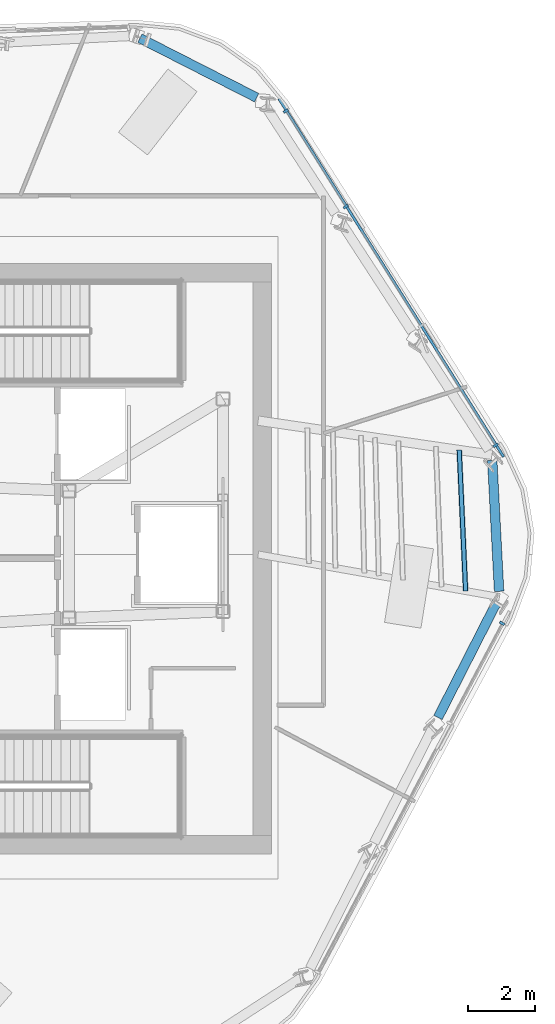
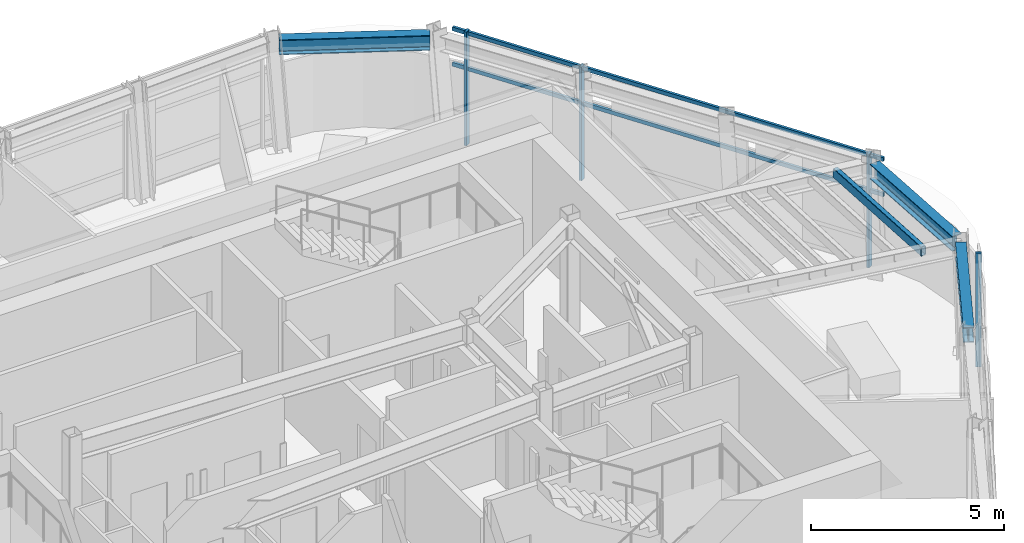
# One storey, part 5 of 13: 7 members, 3 beams, 2 elements without a shape of their own.
"""IFC4 building model written with IfcOpenShell, lengths in metres."""

from ifc_helpers import new_model, si_unit, direction, frame, origin, origin_2d, place, context, subcontext, project, spatial, rectangle, hollow_rectangle, i_section, extrude, material, layer, layer_set, material_profile, profile_set, type_object, element, aggregate, save


model = new_model("IFC4")

# Units and contexts
model_context = context("Model", 3, precision=1e-05, world=origin(), true_north=direction((0.0, 1.0)))
body_context = subcontext(model_context, "Body", "Model", "MODEL_VIEW")
ifc_project = project(units=[si_unit("LENGTHUNIT", "METRE"), si_unit("AREAUNIT", "SQUARE_METRE"), si_unit("VOLUMEUNIT", "CUBIC_METRE"), si_unit("PLANEANGLEUNIT", "RADIAN"), si_unit("MASSUNIT", "GRAM", prefix="KILO")], contexts=[model_context])

# Site, building, storey
site_placement = place(None, origin())
site = spatial("IfcSite", under=ifc_project, at=site_placement, CompositionType="ELEMENT")
building_placement = place(site_placement, origin())
building = spatial("IfcBuilding", under=site, at=building_placement, Name="Valkerne Bourse Tower", CompositionType="ELEMENT")
storey_placement = place(building_placement, frame((0.0, 0.0, 292.60009765625)))
storey = spatial("IfcBuildingStorey", under=building, at=storey_placement, Name="L74", CompositionType="ELEMENT", Elevation=292.60009765625)

# Beams
ifc_material_1 = material(Name="Steel ASTM A992", Category="steel")
ifc_material_profile_1 = material_profile(ifc_material_1, i_section(OverallWidth=0.284423828125, OverallDepth=0.47509765625, WebThickness=0.014892578125, FlangeThickness=0.02392578125, FilletRadius=0.017822265625, at=origin_2d()), Name="W18X106")
ifc_profile_set_1 = profile_set([ifc_material_profile_1], Name="Steel ASTM A992")
beam_type = type_object("IfcBeamType", Name="BM-W18X106", PredefinedType="BEAM", material=ifc_profile_set_1)
beam_placement = place(storey_placement, frame((61.37548828125, 22.1279296875, 3.3623046875), z_axis=(0.453985287381, 0.891009179998, 0.0), x_axis=(-0.891009179998, 0.453985287381, 0.0)))
element("IfcBeam", 1, at=beam_placement, inside=storey, type_object=beam_type, Name="L74 Hexagonal Spandrel Ring Beam 18", PredefinedType="BEAM", context=body_context, shape_type="SweptSolid", body=[
    extrude(i_section(OverallWidth=0.284423828125, OverallDepth=0.47509765625, WebThickness=0.014892578125, FlangeThickness=0.02392578125, FilletRadius=0.017822265625, at=origin_2d()), origin(), (0.0, 0.0, 1.0), 3.8720703125),
])
for number, where, z_axis, x_axis, name in (
    (2, (63.20166015625, 25.899169921875, 3.3623046875), (-0.052375565985, 0.998627458108, 0.0), (-0.998627458108, -0.052375565985, 0.0), "L74 Hexagonal Spandrel Ring Beam 19"),
    (3, (55.9541015625, 40.65380859375, 3.3623046875), (-0.891009517334, 0.453984625312, 0.0), (-0.453984625312, -0.891009517334, 0.0), "L74 Hexagonal Spandrel Ring Beam 23"),
):
    element("IfcBeam", number, at=place(storey_placement, frame(where, z_axis=z_axis, x_axis=x_axis)), inside=storey, type_object=beam_type, Name=name, PredefinedType="BEAM", context=body_context, shape_type="SweptSolid", body=[
        extrude(i_section(OverallWidth=0.284423828125, OverallDepth=0.47509765625, WebThickness=0.014892578125, FlangeThickness=0.02392578125, FilletRadius=0.017822265625, at=origin_2d()), origin(), (0.0, 0.0, 1.0), 3.91552734375),
    ])

# Curtain wall, member
ifc_material_2 = material(Name="Aluminium AA 6063-T6", Category="aluminium")
ifc_layer = layer(ifc_material_2, 0.2451171875)
ifc_layer_set = layer_set([ifc_layer], Name="Aluminium AA 6063-T6")
curtain_wall_type = type_object("IfcCurtainWallType", Name="CW-05", PredefinedType="NOTDEFINED", material=ifc_layer_set)
curtain_wall_1_placement = place(storey_placement, origin())
curtain_wall_1 = element("IfcCurtainWall", 4, at=curtain_wall_1_placement, inside=storey, type_object=curtain_wall_type, Name="L74 Hexagonal Stick Curtain Wall Face 5", PredefinedType="NOTDEFINED")
ifc_material_profile_2 = material_profile(ifc_material_2, rectangle(XDim=0.074951171875, YDim=0.159912109375, at=origin_2d()), Name="CWM-75X160")
ifc_profile_set_2 = profile_set([ifc_material_profile_2], Name="Aluminium AA 6063-T6")
member_type_1 = type_object("IfcMemberType", Name="CW-MUL-160X75", PredefinedType="MULLION", material=ifc_profile_set_2)
member_1_placement = place(storey_placement, frame((63.29248046875, 24.94140625, 0.0), z_axis=(0.0, 0.0, 1.0), x_axis=(0.467928081072, 0.883766547763, 0.0)))
member_1 = element("IfcMember", 5, at=member_1_placement, type_object=member_type_1, Name="CW-L74-F5 Jamb Mullion 02B", PredefinedType="MULLION", context=body_context, shape_type="SweptSolid", body=[
    extrude(rectangle(XDim=0.074951171875, YDim=0.159912109375, at=origin_2d()), origin(), (0.0, 0.0, 1.0), 3.599853515625),
])
aggregate(curtain_wall_1, [member_1])

# Curtain wall, members
curtain_wall_2_placement = place(storey_placement, origin())
curtain_wall_2 = element("IfcCurtainWall", 6, at=curtain_wall_2_placement, inside=storey, type_object=curtain_wall_type, Name="L74 Hexagonal Stick Curtain Wall Face 6", PredefinedType="NOTDEFINED")
member_2_placement = place(storey_placement, frame((63.097412109375, 30.260986328125, 0.0), z_axis=(0.0, 0.0, 1.0), x_axis=(-0.531404557773, 0.847118171201, 0.0)))
member_2 = element("IfcMember", 7, at=member_2_placement, type_object=member_type_1, Name="CW-L74-F6 Jamb Mullion 00A", PredefinedType="MULLION", context=body_context, shape_type="SweptSolid", body=[
    extrude(rectangle(XDim=0.074951171875, YDim=0.159912109375, at=origin_2d()), origin(), (0.0, 0.0, 1.0), 3.599853515625),
])
member_3_placement = place(storey_placement, frame((58.620849609375, 37.397216796875, 0.0), z_axis=(0.0, 0.0, 1.0), x_axis=(-0.531404557773, 0.847118171201, 0.0)))
member_3 = element("IfcMember", 8, at=member_3_placement, type_object=member_type_1, Name="CW-L74-F6 Jamb Mullion 02A", PredefinedType="MULLION", context=body_context, shape_type="SweptSolid", body=[
    extrude(rectangle(XDim=0.074951171875, YDim=0.159912109375, at=origin_2d()), origin(), (0.0, 0.0, 1.0), 3.599853515625),
])
member_4_placement = place(storey_placement, frame((56.8291015625, 40.253662109375, 0.0), z_axis=(0.0, 0.0, 1.0), x_axis=(-0.531404557773, 0.847118171201, 0.0)))
member_4 = element("IfcMember", 9, at=member_4_placement, type_object=member_type_1, Name="CW-L74-F6 Jamb Mullion 02B", PredefinedType="MULLION", context=body_context, shape_type="SweptSolid", body=[
    extrude(rectangle(XDim=0.074951171875, YDim=0.159912109375, at=origin_2d()), origin(), (0.0, 0.0, 1.0), 3.599853515625),
])
ifc_material_profile_3 = material_profile(ifc_material_2, rectangle(XDim=0.074951171875, YDim=0.1201171875, at=origin_2d()), Name="CWT-75X120")
ifc_profile_set_3 = profile_set([ifc_material_profile_3], Name="Aluminium AA 6063-T6")
member_type_2 = type_object("IfcMemberType", Name="CW-TRN-120X75", PredefinedType="USERDEFINED", material=ifc_profile_set_3)
member_5_placement = place(storey_placement, frame((63.337646484375, 29.915771484375, 2.39990234375), z_axis=(-0.531399735144, 0.847121196458, 0.0), x_axis=(-0.847121196458, -0.531399735144, 0.0)))
member_5 = element("IfcMember", 10, at=member_5_placement, type_object=member_type_2, Name="CW-L74-F6 Continuous Face Transom 3", ObjectType="TRANSOM", PredefinedType="USERDEFINED", context=body_context, shape_type="SweptSolid", body=[
    extrude(rectangle(XDim=0.074951171875, YDim=0.1201171875, at=origin_2d()), origin(), (0.0, 0.0, 1.0), 12.63623046875),
])
member_6_placement = place(storey_placement, frame((63.337646484375, 29.915771484375, 3.52001953125), z_axis=(-0.531399735144, 0.847121196458, 0.0), x_axis=(-0.847121196458, -0.531399735144, 0.0)))
member_6 = element("IfcMember", 11, at=member_6_placement, type_object=member_type_2, Name="CW-L74-F6 Continuous Face Transom 4", ObjectType="TRANSOM", PredefinedType="USERDEFINED", context=body_context, shape_type="SweptSolid", body=[
    extrude(rectangle(XDim=0.074951171875, YDim=0.1201171875, at=origin_2d()), origin(), (0.0, 0.0, 1.0), 12.63623046875),
])
aggregate(curtain_wall_2, [member_5, member_6, member_2, member_3, member_4])

# Member
ifc_material_3 = material(Name="Steel ASTM A500 Grade C", Category="steel")
ifc_material_profile_4 = material_profile(ifc_material_3, hollow_rectangle(XDim=0.14990234375, YDim=0.300048828125, WallThickness=0.012451171875, OuterFilletRadius=0.02490234375, at=origin_2d()), Name="HSS300X150X12.5")
ifc_profile_set_4 = profile_set([ifc_material_profile_4], Name="Steel ASTM A500 Grade C")
member_type_3 = type_object("IfcMemberType", Name="MBR-HSS300X150X12.5", PredefinedType="PURLIN", material=ifc_profile_set_4)
member_7_placement = place(storey_placement, frame((62.200927734375, 25.9072265625, 3.43994140625), z_axis=(-0.045365664471, 0.998970448255, 0.0), x_axis=(-0.998970448255, -0.045365664471, 0.0)))
element("IfcMember", 12, at=member_7_placement, inside=storey, type_object=member_type_3, Name="L74 Secondary Composite Floor Purlin T-19", PredefinedType="PURLIN", context=body_context, shape_type="SweptSolid", body=[
    extrude(hollow_rectangle(XDim=0.14990234375, YDim=0.300048828125, WallThickness=0.012451171875, OuterFilletRadius=0.02490234375, at=origin_2d()), origin(), (0.0, 0.0, 1.0), 4.21923828125),
])

save(model, "model.ifc")
